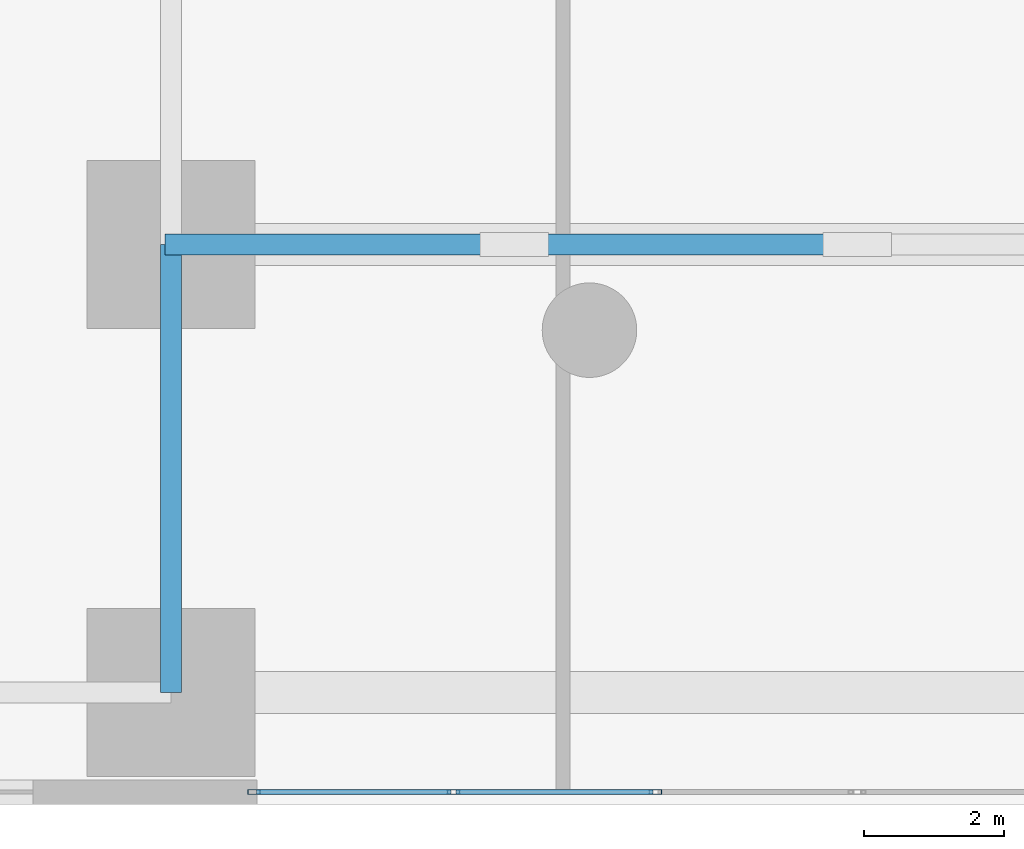
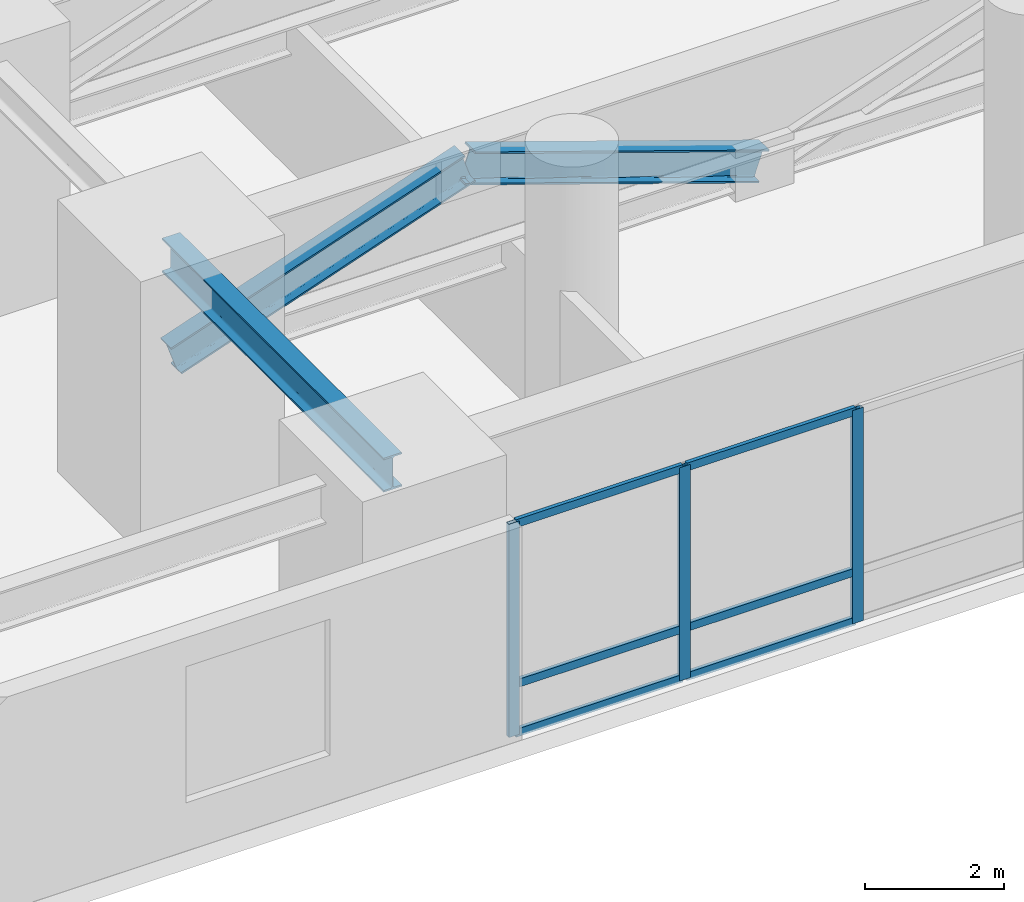
# One storey, part 2 of 17: 11 members, 1 beam, 1 element without a shape of its own.
"""IFC4 building model written with IfcOpenShell, lengths in metres."""

from ifc_helpers import new_model, si_unit, direction, frame, origin, origin_2d, place, context, subcontext, project, spatial, hollow_rectangle, i_section, extrude, material, layer, layer_set, material_profile, profile_set, type_object, element, aggregate, save


model = new_model("IFC4")

# Units and contexts
model_context = context("Model", 3, precision=1e-05, world=origin(), true_north=direction((0.0, 1.0)))
body_context = subcontext(model_context, "Body", "Model", "MODEL_VIEW")
ifc_project = project(units=[si_unit("LENGTHUNIT", "METRE"), si_unit("AREAUNIT", "SQUARE_METRE"), si_unit("VOLUMEUNIT", "CUBIC_METRE"), si_unit("PLANEANGLEUNIT", "RADIAN"), si_unit("MASSUNIT", "GRAM", prefix="KILO"), si_unit("THERMODYNAMICTEMPERATUREUNIT", "KELVIN"), si_unit("POWERUNIT", "WATT")], contexts=[model_context])

# Site, building, storey
site_placement = place(None, origin())
site = spatial("IfcSite", under=ifc_project, at=site_placement, CompositionType="ELEMENT")
building_placement = place(site_placement, origin())
building = spatial("IfcBuilding", under=site, at=building_placement, Name="Ocrelia Relay Tower", CompositionType="ELEMENT")
storey_placement = place(building_placement, frame((0.0, 0.0, 15.60009765625)))
storey = spatial("IfcBuildingStorey", under=building, at=storey_placement, Name="L03", CompositionType="ELEMENT", Elevation=15.60009765625)

# Beam
ifc_material_1 = material(Name="Steel S355", Category="steel")
ifc_material_profile_1 = material_profile(ifc_material_1, i_section(OverallWidth=0.300048828125, OverallDepth=0.60009765625, WebThickness=0.015380859375, FlangeThickness=0.030029296875, FilletRadius=0.027099609375, at=origin_2d()), Name="HEB 600")
ifc_profile_set_1 = profile_set([ifc_material_profile_1], Name="Steel S355")
beam_type = type_object("IfcBeamType", Name="BM-HEB600", PredefinedType="BEAM", material=ifc_profile_set_1)
beam_placement = place(storey_placement, frame((24.199951171875, 1.60009765625, 4.179931640625), z_axis=(0.0, 1.0, 0.0), x_axis=(-1.0, 0.0, 0.0)))
element("IfcBeam", 1, at=beam_placement, inside=storey, type_object=beam_type, Name="L03 Pier Line Tie Girder AW-1", PredefinedType="BEAM", context=body_context, shape_type="SweptSolid", body=[
    extrude(i_section(OverallWidth=0.300048828125, OverallDepth=0.60009765625, WebThickness=0.015380859375, FlangeThickness=0.030029296875, FilletRadius=0.027099609375, at=origin_2d()), origin(), (0.0, 0.0, 1.0), 6.39990234375),
])

# Curtain wall, members
ifc_material_2 = material(Name="Aluminium and solar-control low-E glass", Category="aluminium")
ifc_layer = layer(ifc_material_2, 0.179931640625, Name="Aluminium and solar-control low-E glass")
ifc_layer_set = layer_set([ifc_layer], Name="Aluminium and solar-control low-E glass")
curtain_wall_type = type_object("IfcCurtainWallType", Name="CW-SYS-POD-GALL", PredefinedType="NOTDEFINED", material=ifc_layer_set)
curtain_wall_placement = place(storey_placement, origin())
curtain_wall = element("IfcCurtainWall", 2, at=curtain_wall_placement, inside=storey, type_object=curtain_wall_type, Name="L03 South Over-Arch Curtain Wall West", PredefinedType="NOTDEFINED")
ifc_material_3 = material(Name="Anodised bronze aluminium", Category="aluminium")
ifc_material_profile_2 = material_profile(ifc_material_3, hollow_rectangle(XDim=0.070068359375, YDim=0.179931640625, WallThickness=0.006103515625, at=origin_2d()), Name="CW-MUL-180x70")
ifc_profile_set_2 = profile_set([ifc_material_profile_2], Name="Anodised bronze aluminium")
member_type_1 = type_object("IfcMemberType", Name="CW-SYS-POD-GALL-MUL", PredefinedType="MULLION", material=ifc_profile_set_2)
member_1_placement = place(storey_placement, frame((25.385009765625, 0.179931640625, 0.0), z_axis=(0.0, 0.0, 1.0), x_axis=(0.0, 1.0, 0.0)))
member_1 = element("IfcMember", 3, at=member_1_placement, type_object=member_type_1, Name="CW-PG mullion 1", PredefinedType="MULLION", context=body_context, shape_type="SweptSolid", body=[
    extrude(hollow_rectangle(XDim=0.070068359375, YDim=0.179931640625, WallThickness=0.006103515625, at=origin_2d()), origin(), (0.0, 0.0, 1.0), 3.760009765625),
])
member_2_placement = place(storey_placement, frame((28.2333984375, 0.179931640625, 0.0), z_axis=(0.0, 0.0, 1.0), x_axis=(0.0, 1.0, 0.0)))
member_2 = element("IfcMember", 4, at=member_2_placement, type_object=member_type_1, Name="CW-PG mullion 2", PredefinedType="MULLION", context=body_context, shape_type="SweptSolid", body=[
    extrude(hollow_rectangle(XDim=0.070068359375, YDim=0.179931640625, WallThickness=0.006103515625, at=origin_2d()), origin(), (0.0, 0.0, 1.0), 3.760009765625),
])
member_3_placement = place(storey_placement, frame((31.11669921875, 0.179931640625, 0.0), z_axis=(0.0, 0.0, 1.0), x_axis=(0.0, 1.0, 0.0)))
member_3 = element("IfcMember", 5, at=member_3_placement, type_object=member_type_1, Name="CW-PG mullion 3", PredefinedType="MULLION", context=body_context, shape_type="SweptSolid", body=[
    extrude(hollow_rectangle(XDim=0.070068359375, YDim=0.179931640625, WallThickness=0.006103515625, at=origin_2d()), origin(), (0.0, 0.0, 1.0), 3.760009765625),
])
ifc_material_profile_3 = material_profile(ifc_material_3, hollow_rectangle(XDim=0.06494140625, YDim=0.139892578125, WallThickness=0.0048828125, at=origin_2d()), Name="CW-TRN-140x65")
ifc_profile_set_3 = profile_set([ifc_material_profile_3], Name="Anodised bronze aluminium")
member_type_2 = type_object("IfcMemberType", Name="CW-SYS-POD-GALL-TRN", PredefinedType="USERDEFINED", material=ifc_profile_set_3)
member_4_placement = place(storey_placement, frame((25.419921875, 0.179931640625, 0.032470703125), z_axis=(1.0, 0.0, 0.0), x_axis=(0.0, 1.0, 0.0)))
member_4 = element("IfcMember", 6, at=member_4_placement, type_object=member_type_2, Name="CW-PG transom 1.1", ObjectType="TRANSOM", PredefinedType="USERDEFINED", context=body_context, shape_type="SweptSolid", body=[
    extrude(hollow_rectangle(XDim=0.06494140625, YDim=0.139892578125, WallThickness=0.0048828125, at=origin_2d()), origin(), (0.0, 0.0, 1.0), 2.7783203125),
])
member_5_placement = place(storey_placement, frame((25.419921875, 0.179931640625, 0.89990234375), z_axis=(1.0, 0.0, 0.0), x_axis=(0.0, 1.0, 0.0)))
member_5 = element("IfcMember", 7, at=member_5_placement, type_object=member_type_2, Name="CW-PG transom 1.2", ObjectType="TRANSOM", PredefinedType="USERDEFINED", context=body_context, shape_type="SweptSolid", body=[
    extrude(hollow_rectangle(XDim=0.06494140625, YDim=0.139892578125, WallThickness=0.0048828125, at=origin_2d()), origin(), (0.0, 0.0, 1.0), 2.7783203125),
])
member_6_placement = place(storey_placement, frame((25.419921875, 0.179931640625, 3.727294921875), z_axis=(1.0, 0.0, 0.0), x_axis=(0.0, 1.0, 0.0)))
member_6 = element("IfcMember", 8, at=member_6_placement, type_object=member_type_2, Name="CW-PG transom 1.3", ObjectType="TRANSOM", PredefinedType="USERDEFINED", context=body_context, shape_type="SweptSolid", body=[
    extrude(hollow_rectangle(XDim=0.06494140625, YDim=0.139892578125, WallThickness=0.0048828125, at=origin_2d()), origin(), (0.0, 0.0, 1.0), 2.7783203125),
])
member_7_placement = place(storey_placement, frame((28.268310546875, 0.179931640625, 0.032470703125), z_axis=(1.0, 0.0, 0.0), x_axis=(0.0, 1.0, 0.0)))
member_7 = element("IfcMember", 9, at=member_7_placement, type_object=member_type_2, Name="CW-PG transom 2.1", ObjectType="TRANSOM", PredefinedType="USERDEFINED", context=body_context, shape_type="SweptSolid", body=[
    extrude(hollow_rectangle(XDim=0.06494140625, YDim=0.139892578125, WallThickness=0.0048828125, at=origin_2d()), origin(), (0.0, 0.0, 1.0), 2.8134765625),
])
member_8_placement = place(storey_placement, frame((28.268310546875, 0.179931640625, 0.89990234375), z_axis=(1.0, 0.0, 0.0), x_axis=(0.0, 1.0, 0.0)))
member_8 = element("IfcMember", 10, at=member_8_placement, type_object=member_type_2, Name="CW-PG transom 2.2", ObjectType="TRANSOM", PredefinedType="USERDEFINED", context=body_context, shape_type="SweptSolid", body=[
    extrude(hollow_rectangle(XDim=0.06494140625, YDim=0.139892578125, WallThickness=0.0048828125, at=origin_2d()), origin(), (0.0, 0.0, 1.0), 2.8134765625),
])
member_9_placement = place(storey_placement, frame((28.268310546875, 0.179931640625, 3.727294921875), z_axis=(1.0, 0.0, 0.0), x_axis=(0.0, 1.0, 0.0)))
member_9 = element("IfcMember", 11, at=member_9_placement, type_object=member_type_2, Name="CW-PG transom 2.3", ObjectType="TRANSOM", PredefinedType="USERDEFINED", context=body_context, shape_type="SweptSolid", body=[
    extrude(hollow_rectangle(XDim=0.06494140625, YDim=0.139892578125, WallThickness=0.0048828125, at=origin_2d()), origin(), (0.0, 0.0, 1.0), 2.8134765625),
])
aggregate(curtain_wall, [member_1, member_2, member_3, member_4, member_5, member_6, member_7, member_8, member_9])

# Members
ifc_material_profile_4 = material_profile(ifc_material_1, i_section(OverallWidth=0.300048828125, OverallDepth=0.550048828125, WebThickness=0.014892578125, FlangeThickness=0.029052734375, FilletRadius=0.027099609375, at=origin_2d()), Name="HEB 550")
ifc_profile_set_4 = profile_set([ifc_material_profile_4], Name="Steel S355")
member_type_3 = type_object("IfcMemberType", Name="MB-ARCH-DIAG", PredefinedType="BRACE", material=ifc_profile_set_4)
member_10_placement = place(storey_placement, frame((24.199951171875, 8.0, 2.349853515625), z_axis=(0.945952968798, 0.0, 0.324303840282), x_axis=(0.0, 1.0, 0.0)))
element("IfcMember", 12, at=member_10_placement, inside=storey, type_object=member_type_3, Name="L03 Warren Transfer Truss Diagonal S-1", PredefinedType="BRACE", context=body_context, shape_type="SweptSolid", body=[
    extrude(i_section(OverallWidth=0.300048828125, OverallDepth=0.550048828125, WebThickness=0.014892578125, FlangeThickness=0.029052734375, FilletRadius=0.027099609375, at=origin_2d()), origin(), (0.0, 0.0, 1.0), 5.18017578125),
])
member_11_placement = place(storey_placement, frame((29.10009765625, 8.0, 4.02978515625), z_axis=(0.945948011629, 0.0, -0.324318299353), x_axis=(0.0, 1.0, 0.0)))
element("IfcMember", 13, at=member_11_placement, inside=storey, type_object=member_type_3, Name="L03 Warren Transfer Truss Diagonal S-2", PredefinedType="BRACE", context=body_context, shape_type="SweptSolid", body=[
    extrude(i_section(OverallWidth=0.300048828125, OverallDepth=0.550048828125, WebThickness=0.014892578125, FlangeThickness=0.029052734375, FilletRadius=0.027099609375, at=origin_2d()), origin(), (0.0, 0.0, 1.0), 5.179931640625),
])

save(model, "model.ifc")
